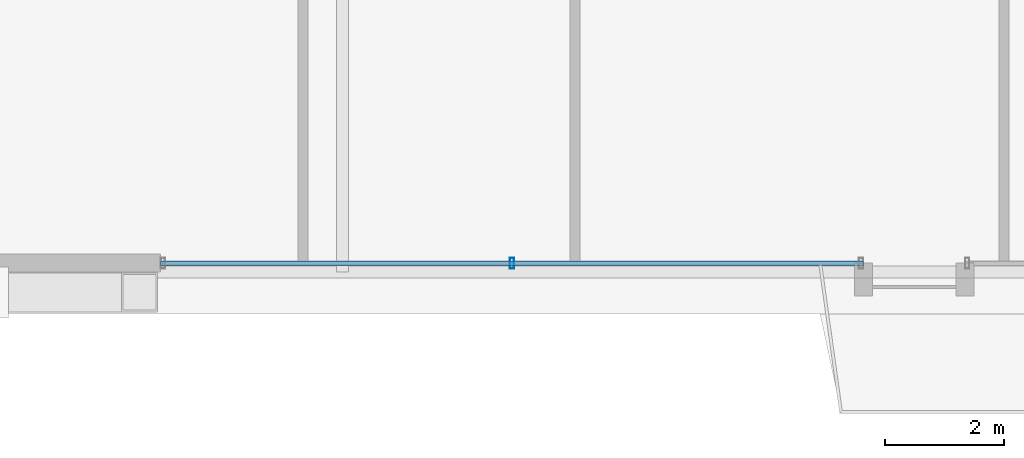
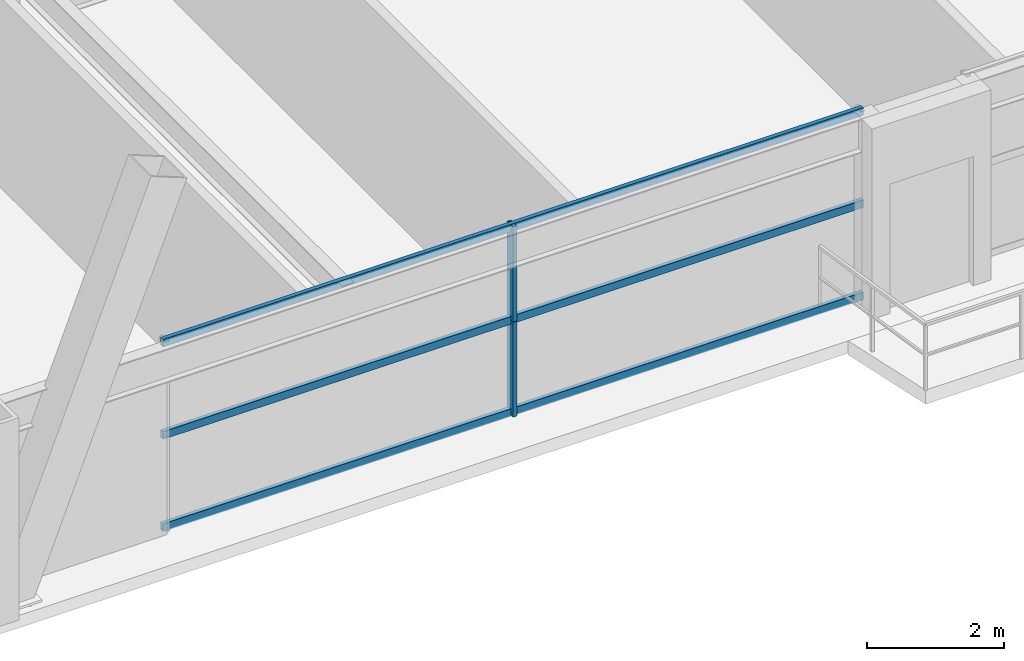
# One storey, part 5 of 43: 5 members, 1 element without a shape of its own.
"""IFC4 building model written with IfcOpenShell, lengths in metres."""

from ifc_helpers import new_model, si_unit, direction, frame, origin, origin_2d, place, context, subcontext, project, spatial, hollow_rectangle, extrude, source, transform, mapped, material, layer, layer_set, material_profile, profile_set, type_object, element, aggregate, save


model = new_model("IFC4")

# Units and contexts
model_context = context("Model", 3, precision=1e-05, world=origin(), true_north=direction((0.0, 1.0)))
body_context = subcontext(model_context, "Body", "Model", "MODEL_VIEW")
ifc_project = project(units=[si_unit("LENGTHUNIT", "METRE"), si_unit("AREAUNIT", "SQUARE_METRE"), si_unit("VOLUMEUNIT", "CUBIC_METRE"), si_unit("PLANEANGLEUNIT", "RADIAN"), si_unit("MASSUNIT", "GRAM", prefix="KILO"), si_unit("THERMODYNAMICTEMPERATUREUNIT", "KELVIN"), si_unit("POWERUNIT", "WATT")], contexts=[model_context])

# Site, building, storey
site_placement = place(None, origin())
site = spatial("IfcSite", under=ifc_project, at=site_placement, CompositionType="ELEMENT")
building_placement = place(site_placement, origin())
building = spatial("IfcBuilding", under=site, at=building_placement, Name="Yuzanri Waterfront Tower", CompositionType="ELEMENT")
storey_placement = place(building_placement, frame((0.0, 0.0, 93.800048828125)))
storey = spatial("IfcBuildingStorey", under=building, at=storey_placement, Name="L24", CompositionType="ELEMENT", Elevation=93.800048828125)

# Curtain wall, members
ifc_material_1 = material(Name="Anodized Architectural Bronze", Category="metal")
ifc_layer = layer(ifc_material_1, 0.159912109375)
ifc_layer_set = layer_set([ifc_layer], Name="Anodized Architectural Bronze")
curtain_wall_type = type_object("IfcCurtainWallType", Name="Anodized Bronze Hotel Upper-Tier Solar-Control Unitized Curtain Wall 7800", PredefinedType="NOTDEFINED", material=ifc_layer_set)
curtain_wall_placement = place(storey_placement, origin())
curtain_wall = element("IfcCurtainWall", 1, at=curtain_wall_placement, inside=storey, type_object=curtain_wall_type, Name="L24 Curtain Wall CW-L24-SL1", PredefinedType="NOTDEFINED")
ifc_material_2 = material(Name="Anodized Architectural Bronze", Category="metal")
ifc_material_profile_1 = material_profile(ifc_material_2, hollow_rectangle(XDim=0.070068359375, YDim=0.179931640625, WallThickness=0.00390625, at=origin_2d()), Name="CWM 70x180")
ifc_profile_set_1 = profile_set([ifc_material_profile_1], Name="Anodized Architectural Bronze")
member_type_1 = type_object("IfcMemberType", Name="Anodized Bronze Standard Curtain-Wall Mullion 70x180", PredefinedType="MULLION", material=ifc_profile_set_1)
shared_shape_1 = source(origin(), body_context, "Body", "SweptSolid", [
    extrude(hollow_rectangle(XDim=0.070068359375, YDim=0.179931640625, WallThickness=0.00390625, at=origin_2d()), origin(), (0.0, 0.0, 1.0), 1.68798828125),
])
member_1_placement = place(storey_placement, frame((26.639404296875, 2.35009765625, 0.0), z_axis=(0.0, 0.0, 1.0), x_axis=(1.0, 0.0, 0.0)))
member_1 = element("IfcMember", 2, at=member_1_placement, type_object=member_type_1, Name="CW-L24-SL1 Lower Mullion 01", PredefinedType="MULLION", context=body_context, shape_type="MappedRepresentation", body=[
    mapped(shared_shape_1, transform((0.0, 0.0, 0.0), scale=1.0)),
])
member_2_placement = place(storey_placement, frame((26.639404296875, 2.35009765625, 1.69189453125), z_axis=(0.0, 0.0, 1.0), x_axis=(1.0, 0.0, 0.0)))
member_2 = element("IfcMember", 3, at=member_2_placement, type_object=member_type_1, Name="CW-L24-SL1 Upper Mullion 01", PredefinedType="MULLION", context=body_context, shape_type="MappedRepresentation", body=[
    mapped(shared_shape_1, transform((0.0, 0.0, 0.0), scale=1.0)),
])
ifc_material_3 = material(Name="Anodized Architectural Bronze", Category="metal")
ifc_material_profile_2 = material_profile(ifc_material_3, hollow_rectangle(XDim=0.070068359375, YDim=0.135009765625, WallThickness=0.00341796875, at=origin_2d()), Name="CWT 70x135")
ifc_profile_set_2 = profile_set([ifc_material_profile_2], Name="Anodized Architectural Bronze")
member_type_2 = type_object("IfcMemberType", Name="Anodized Bronze Standard Curtain-Wall Transom 70x135", PredefinedType="USERDEFINED", material=ifc_profile_set_2)
shared_shape_2 = source(origin(), body_context, "Body", "SweptSolid", [
    extrude(hollow_rectangle(XDim=0.070068359375, YDim=0.135009765625, WallThickness=0.00341796875, at=origin_2d()), origin(), (0.0, 0.0, 1.0), 11.779052734375),
])
member_3_placement = place(storey_placement, frame((20.75, 2.35009765625, 0.050048828125), z_axis=(1.0, 0.0, 0.0), x_axis=(0.0, 1.0, 0.0)))
member_3 = element("IfcMember", 4, at=member_3_placement, type_object=member_type_2, Name="CW-L24-SL1 Transom 1", ObjectType="TRANSOM", PredefinedType="USERDEFINED", context=body_context, shape_type="MappedRepresentation", body=[
    mapped(shared_shape_2, transform((0.0, 0.0, 0.0), scale=1.0)),
])
member_4_placement = place(storey_placement, frame((20.75, 2.35009765625, 1.68994140625), z_axis=(1.0, 0.0, 0.0), x_axis=(0.0, 1.0, 0.0)))
member_4 = element("IfcMember", 5, at=member_4_placement, type_object=member_type_2, Name="CW-L24-SL1 Transom 2", ObjectType="TRANSOM", PredefinedType="USERDEFINED", context=body_context, shape_type="MappedRepresentation", body=[
    mapped(shared_shape_2, transform((0.0, 0.0, 0.0), scale=1.0)),
])
member_5_placement = place(storey_placement, frame((20.75, 2.35009765625, 3.329833984375), z_axis=(1.0, 0.0, 0.0), x_axis=(0.0, 1.0, 0.0)))
member_5 = element("IfcMember", 6, at=member_5_placement, type_object=member_type_2, Name="CW-L24-SL1 Transom 3", ObjectType="TRANSOM", PredefinedType="USERDEFINED", context=body_context, shape_type="MappedRepresentation", body=[
    mapped(shared_shape_2, transform((0.0, 0.0, 0.0), scale=1.0)),
])
aggregate(curtain_wall, [member_1, member_2, member_3, member_4, member_5])

save(model, "model.ifc")
